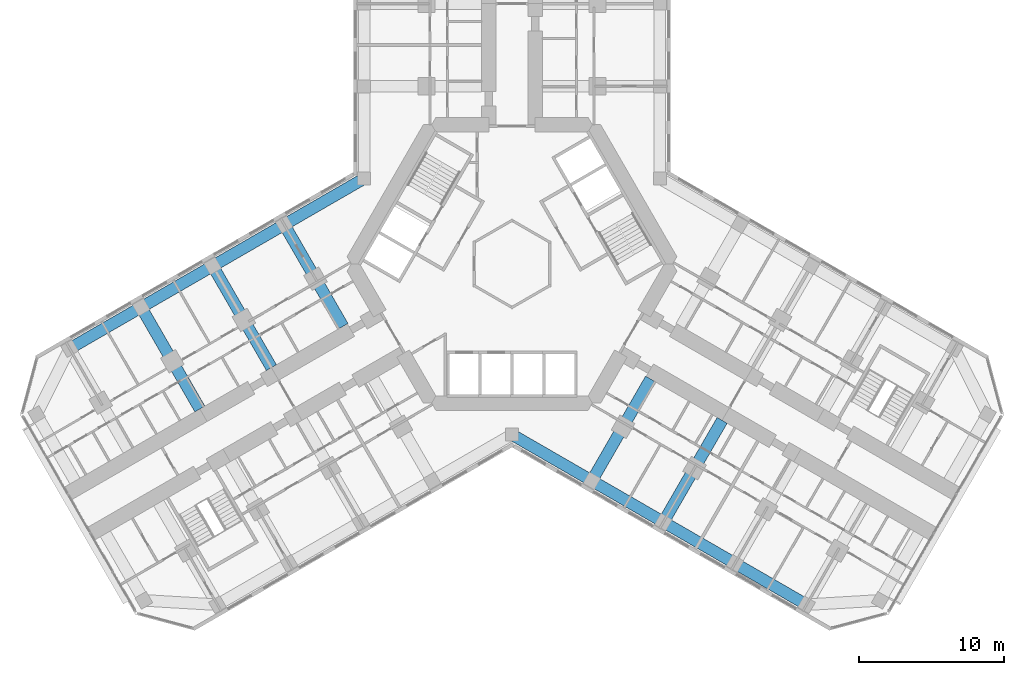
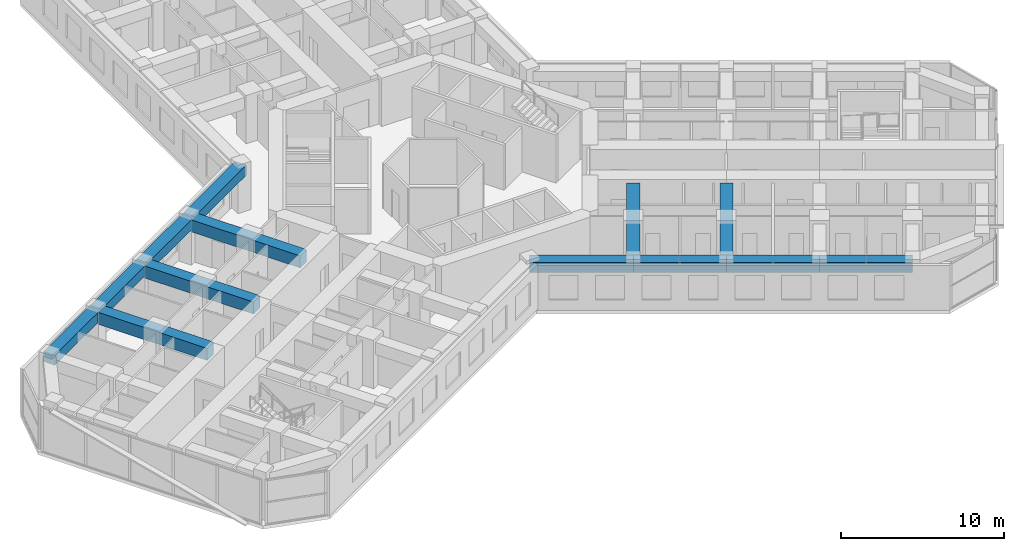
# One storey, part 4 of 21: 13 beams.
"""IFC4 building model written with IfcOpenShell, lengths in metres."""

import ifcopenshell
import ifcopenshell.guid

model = None  # the IFC model being written
_history = None  # IfcOwnerHistory: only IFC2X3 demands one
_inside = {}  # id of a spatial element -> (the spatial element, [elements in it])
_under = {}  # id of a project, library or spatial element -> (it, [spatial elements below it])
_declared = {}  # id of a project -> (the project, [libraries it declares])
_typed = {}  # id of a type object -> (the type object, [elements of that type])
_made_of = {}  # id of a material, layer set ... -> (it, [elements and type objects made of it])


def new_model(schema):
    """Start an empty IFC model of exactly this schema.

    Asked for "IFC4X3", IfcOpenShell would pick the latest addendum, in which some entities
    have other attributes; the version numbers below select the first issue.
    IFC2X3 requires an IfcOwnerHistory on every rooted entity: one is made here for all.
    """
    global model, _history
    if schema == "IFC4X3":
        model = ifcopenshell.file(schema_version=(4, 3, 0, 0))
    else:
        model = ifcopenshell.file(schema=schema)
    _inside.clear()
    _under.clear()
    _declared.clear()
    _typed.clear()
    _made_of.clear()
    _history = None
    if model.schema == "IFC2X3":
        org = make("IfcOrganization", Name="unknown")
        user = make(
            "IfcPersonAndOrganization",
            ThePerson=make("IfcPerson", FamilyName="unknown"),
            TheOrganization=org,
        )
        app = make(
            "IfcApplication",
            ApplicationDeveloper=org,
            Version="unknown",
            ApplicationFullName="unknown",
            ApplicationIdentifier="unknown",
        )
        _history = make(
            "IfcOwnerHistory",
            OwningUser=user,
            OwningApplication=app,
            ChangeAction="ADDED",
            CreationDate=0,
        )
    return model


def make(cls, **values):
    """One entity of the class cls with the attributes given. An attribute that is None is left unset."""
    return model.create_entity(
        cls, **{name: value for name, value in values.items() if value is not None}
    )


def rooted(cls, **values):
    """An entity with a GlobalId (a new one), such as an element, a storey or a relation."""
    return make(cls, GlobalId=ifcopenshell.guid.new(), OwnerHistory=_history, **values)


def si_unit(unit_type, name, prefix=None):
    """IfcSIUnit, for example si_unit("LENGTHUNIT", "METRE", prefix="MILLI")."""
    return make("IfcSIUnit", UnitType=unit_type, Prefix=prefix, Name=name)


def assignment(units):
    """IfcUnitAssignment: the units of a project."""
    return None if units is None else make("IfcUnitAssignment", Units=units)


def point(xyz):
    """IfcCartesianPoint."""
    return None if xyz is None else make("IfcCartesianPoint", Coordinates=xyz)


def direction(xyz):
    """IfcDirection."""
    return None if xyz is None else make("IfcDirection", DirectionRatios=xyz)


def frame(location, z_axis=None, x_axis=None):
    """IfcAxis2Placement3D, a coordinate frame: its origin and axes. An axis left out is left unset."""
    return make(
        "IfcAxis2Placement3D",
        Location=point(location),
        Axis=direction(z_axis),
        RefDirection=direction(x_axis),
    )


def frame_2d(location, x_axis=None):
    """IfcAxis2Placement2D, a coordinate frame in the plane: its origin and x axis."""
    return make(
        "IfcAxis2Placement2D", Location=point(location), RefDirection=direction(x_axis)
    )


def origin():
    """The frame at (0, 0, 0) with its axes left unset."""
    return frame((0.0, 0.0, 0.0))


def origin_2d():
    """The frame at (0, 0) in the plane with its x axis left unset."""
    return frame_2d((0.0, 0.0))


def place(relative_to, where):
    """IfcLocalPlacement: puts the frame where relative to a parent placement (None: the world)."""
    return make(
        "IfcLocalPlacement", PlacementRelTo=relative_to, RelativePlacement=where
    )


def context(
    kind, dimensions, precision=None, world=None, true_north=None, identifier=None
):
    """IfcGeometricRepresentationContext, for example the 3D "Model" context."""
    return make(
        "IfcGeometricRepresentationContext",
        ContextIdentifier=identifier,
        ContextType=kind,
        CoordinateSpaceDimension=dimensions,
        Precision=precision,
        WorldCoordinateSystem=world,
        TrueNorth=true_north,
    )


def subcontext(parent, identifier, kind, view, scale=None):
    """IfcGeometricRepresentationSubContext, for example "Body" below "Model"."""
    return make(
        "IfcGeometricRepresentationSubContext",
        ContextIdentifier=identifier,
        ContextType=kind,
        ParentContext=parent,
        TargetScale=scale,
        TargetView=view,
    )


def project(units=None, contexts=None):
    """IfcProject with its units and contexts."""
    return rooted(
        "IfcProject",
        Name="project",
        RepresentationContexts=contexts,
        UnitsInContext=assignment(units),
    )


def spatial(cls, under=None, at=None, **own):
    """A site, building, storey or space (cls), placed at a placement, below another one or the project."""
    s = rooted(cls, ObjectPlacement=at, **own)
    if under is not None:
        _under.setdefault(under.id(), (under, []))[1].append(s)
    return s


def profile(cls, at=None, kind="AREA", **sizes):
    """A parametric profile (cls). Its sizes go by their IFC names, for example OverallWidth=200.0."""
    return make(cls, ProfileType=kind, Position=at, **sizes)


def rectangle(**sizes):
    """IfcRectangleProfileDef."""
    return profile("IfcRectangleProfileDef", **sizes)


def extrude(swept, where, along, depth):
    """IfcExtrudedAreaSolid: the profile swept, set in the frame where, extruded along a direction by depth."""
    return make(
        "IfcExtrudedAreaSolid",
        SweptArea=swept,
        Position=where,
        ExtrudedDirection=direction(along),
        Depth=depth,
    )


def shape(context_of_items, identifier, shape_type, items):
    """IfcShapeRepresentation: the items that make up one representation, for example the "Body"."""
    return make(
        "IfcShapeRepresentation",
        ContextOfItems=context_of_items,
        RepresentationIdentifier=identifier,
        RepresentationType=shape_type,
        Items=items,
    )


def material(Name=None, Category=None):
    """IfcMaterial."""
    return make("IfcMaterial", Name=Name, Category=Category)


def material_profile(
    of_material, cross_section, Name=None, Category=None, Priority=None
):
    """IfcMaterialProfile: a cross section and its material."""
    return make(
        "IfcMaterialProfile",
        Name=Name,
        Material=of_material,
        Profile=cross_section,
        Priority=Priority,
        Category=Category,
    )


def profile_set(profiles, Name=None, composite=None):
    """IfcMaterialProfileSet."""
    return make(
        "IfcMaterialProfileSet",
        Name=Name,
        MaterialProfiles=profiles,
        CompositeProfile=composite,
    )


def made_of(thing, what):
    """Note that an element or type object is made of a material, layer set ...; save() writes the relation."""
    if what is not None:
        _made_of.setdefault(what.id(), (what, []))[1].append(thing)
    return thing


def type_object(cls, material=None, **own):
    """A type object (cls), such as IfcWallType, which elements share."""
    return made_of(rooted(cls, **own), material)


def element(
    cls,
    number,
    at=None,
    inside=None,
    cuts=None,
    type_object=None,
    material=None,
    context=None,
    identifier="Body",
    shape_type=None,
    held_by="IfcProductDefinitionShape",
    body=None,
    shapes=None,
    **own,
):
    """One element of the class cls, such as IfcWall. Its Tag is "e" and its number.

    at: its placement. inside: the storey or other place that contains it. cuts: it is an
    opening in that element (IfcRelVoidsElement). A single representation is given by context,
    identifier, shape_type and body (its items); several are given by shapes. held_by: the class
    of the entity that holds the representations. save() writes the other relations.
    """
    e = rooted(cls, Tag="e%d" % number, ObjectPlacement=at, **own)
    if body is not None:
        shapes = [shape(context, identifier, shape_type, body)]
    if shapes is not None:
        e.Representation = make(held_by, Representations=shapes)
    if inside is not None:
        _inside.setdefault(inside.id(), (inside, []))[1].append(e)
    if cuts is not None:
        rooted(
            "IfcRelVoidsElement", RelatingBuildingElement=cuts, RelatedOpeningElement=e
        )
    if type_object is not None:
        _typed.setdefault(type_object.id(), (type_object, []))[1].append(e)
    return made_of(e, material)


def aggregate(whole, parts):
    """IfcRelAggregates: a whole, such as a stair, and the parts it consists of."""
    return rooted("IfcRelAggregates", RelatingObject=whole, RelatedObjects=parts)


def save(model, path):
    """Write the relations noted so far, then the file.

    IfcRelAggregates (storeys below a building ...), IfcRelContainedInSpatialStructure (elements
    in a storey), IfcRelDefinesByType, IfcRelAssociatesMaterial and IfcRelDeclares: one each for
    every whole, place, type object, material and project.
    """
    for whole, parts in _under.values():
        aggregate(whole, parts)
    for where, things in _inside.values():
        rooted(
            "IfcRelContainedInSpatialStructure",
            RelatedElements=things,
            RelatingStructure=where,
        )
    for kind, things in _typed.values():
        rooted("IfcRelDefinesByType", RelatedObjects=things, RelatingType=kind)
    for what, things in _made_of.values():
        rooted("IfcRelAssociatesMaterial", RelatedObjects=things, RelatingMaterial=what)
    for by, libraries in _declared.values():
        rooted("IfcRelDeclares", RelatingContext=by, RelatedDefinitions=libraries)
    model.write(path)


model = new_model("IFC4")

# Units and contexts
model_context = context("Model", 3, precision=1e-05, world=origin(), true_north=direction((0.0, 1.0)))
body_context = subcontext(model_context, "Body", "Model", "MODEL_VIEW")
ifc_project = project(units=[si_unit("LENGTHUNIT", "METRE"), si_unit("AREAUNIT", "SQUARE_METRE"), si_unit("VOLUMEUNIT", "CUBIC_METRE"), si_unit("PLANEANGLEUNIT", "RADIAN"), si_unit("MASSUNIT", "GRAM", prefix="KILO")], contexts=[model_context])

# Site, building, storey
site_placement = place(None, origin())
site = spatial("IfcSite", under=ifc_project, at=site_placement, CompositionType="ELEMENT")
building_placement = place(site_placement, origin())
building = spatial("IfcBuilding", under=site, at=building_placement, Name="Kosmar Iwan School Tower", CompositionType="ELEMENT")
storey_placement = place(building_placement, frame((0.0, 0.0, 102.39990234375)))
storey = spatial("IfcBuildingStorey", under=building, at=storey_placement, Name="L25", CompositionType="ELEMENT", Elevation=102.39990234375)

# Beams
ifc_material_1 = material(Name="Concrete C50/60", Category="concrete")
ifc_material_profile_1 = material_profile(ifc_material_1, rectangle(XDim=0.800048828125, YDim=0.75, at=origin_2d()), Name="RC 800x750")
ifc_profile_set_1 = profile_set([ifc_material_profile_1], Name="Concrete C50/60")
beam_type_1 = type_object("IfcBeamType", Name="RC edge beam 800x750", PredefinedType="BEAM", material=ifc_profile_set_1)
beam_1_placement = place(storey_placement, frame((-10.199951171875, 5.888916015625, 2.97509765625), z_axis=(-0.866030912664, -0.49999045822, 0.0), x_axis=(0.49999045822, -0.866030912664, 0.0)))
element("IfcBeam", 1, at=beam_1_placement, inside=storey, type_object=beam_type_1, Name="Edge beam BR1", PredefinedType="BEAM", context=body_context, shape_type="SweptSolid", body=[
    extrude(rectangle(XDim=0.800048828125, YDim=0.75, at=origin_2d()), origin(), (0.0, 0.0, 1.0), 6.36083984375),
])
beam_2_placement = place(storey_placement, frame((-15.708740234375, 2.70849609375, 2.97509765625), z_axis=(-0.866025820012, -0.499999279071, 0.0), x_axis=(0.499999279071, -0.866025820012, 0.0)))
element("IfcBeam", 2, at=beam_2_placement, inside=storey, type_object=beam_type_1, Name="Edge beam BR2", PredefinedType="BEAM", context=body_context, shape_type="SweptSolid", body=[
    extrude(rectangle(XDim=0.800048828125, YDim=0.75, at=origin_2d()), origin(), (0.0, 0.0, 1.0), 5.7001953125),
])
for number, where, z_axis, x_axis, name in (
    (3, (-20.645263671875, -0.1416015625, 2.97509765625), (-0.866033658841, -0.49998570155, 0.0), (0.49998570155, -0.866033658841, 0.0), "Edge beam BR3"),
    (4, (-25.58154296875, -2.991455078125, 2.97509765625), (-0.866015111908, -0.50001782563, 0.0), (0.50001782563, -0.866015111908, 0.0), "Edge beam BR4"),
):
    element("IfcBeam", number, at=place(storey_placement, frame(where, z_axis=z_axis, x_axis=x_axis)), inside=storey, type_object=beam_type_1, Name=name, PredefinedType="BEAM", context=body_context, shape_type="SweptSolid", body=[
        extrude(rectangle(XDim=0.800048828125, YDim=0.75, at=origin_2d()), origin(), (0.0, 0.0, 1.0), 5.699951171875),
    ])
beam_3_placement = place(storey_placement, frame((0.0, -11.77783203125, 2.97509765625), z_axis=(0.866014293216, -0.500019243575, 0.0), x_axis=(0.500019243575, 0.866014293216, 0.0)))
element("IfcBeam", 5, at=beam_3_placement, inside=storey, type_object=beam_type_1, Name="Edge beam CR1", PredefinedType="BEAM", context=body_context, shape_type="SweptSolid", body=[
    extrude(rectangle(XDim=0.800048828125, YDim=0.75, at=origin_2d()), origin(), (0.0, 0.0, 1.0), 6.361083984375),
])
beam_4_placement = place(storey_placement, frame((5.5087890625, -14.95849609375, 2.97509765625), z_axis=(0.866033658841, -0.49998570155, 0.0), x_axis=(0.49998570155, 0.866033658841, 0.0)))
element("IfcBeam", 6, at=beam_4_placement, inside=storey, type_object=beam_type_1, Name="Edge beam CR2", PredefinedType="BEAM", context=body_context, shape_type="SweptSolid", body=[
    extrude(rectangle(XDim=0.800048828125, YDim=0.75, at=origin_2d()), origin(), (0.0, 0.0, 1.0), 5.699951171875),
])
beam_5_placement = place(storey_placement, frame((10.445068359375, -17.808349609375, 2.97509765625), z_axis=(0.866025820012, -0.499999279071, 0.0), x_axis=(0.499999279071, 0.866025820012, 0.0)))
element("IfcBeam", 7, at=beam_5_placement, inside=storey, type_object=beam_type_1, Name="Edge beam CR3", PredefinedType="BEAM", context=body_context, shape_type="SweptSolid", body=[
    extrude(rectangle(XDim=0.800048828125, YDim=0.75, at=origin_2d()), origin(), (0.0, 0.0, 1.0), 5.7001953125),
])
beam_6_placement = place(storey_placement, frame((15.381591796875, -20.658447265625, 2.97509765625), z_axis=(0.866015111908, -0.50001782563, 0.0), x_axis=(0.50001782563, 0.866015111908, 0.0)))
element("IfcBeam", 8, at=beam_6_placement, inside=storey, type_object=beam_type_1, Name="Edge beam CR4", PredefinedType="BEAM", context=body_context, shape_type="SweptSolid", body=[
    extrude(rectangle(XDim=0.800048828125, YDim=0.75, at=origin_2d()), origin(), (0.0, 0.0, 1.0), 5.699951171875),
])
ifc_material_2 = material(Name="Concrete C50/60", Category="concrete")
ifc_material_profile_2 = material_profile(ifc_material_2, rectangle(XDim=0.800048828125, YDim=0.89990234375, at=origin_2d()), Name="RC 800x900")
ifc_profile_set_2 = profile_set([ifc_material_profile_2], Name="Concrete C50/60")
beam_type_2 = type_object("IfcBeamType", Name="RC transverse beam 800x900", PredefinedType="BEAM", material=ifc_profile_set_2)
beam_7_placement = place(storey_placement, frame((-15.708740234375, 2.70849609375, 2.900146484375), z_axis=(0.499999880539, -0.866025472755, 0.0), x_axis=(0.866025472755, 0.499999880539, 0.0)))
element("IfcBeam", 9, at=beam_7_placement, inside=storey, type_object=beam_type_2, Name="Transverse beam BR1", PredefinedType="BEAM", context=body_context, shape_type="SweptSolid", body=[
    extrude(rectangle(XDim=0.800048828125, YDim=0.89990234375, at=origin_2d()), origin(), (0.0, 0.0, 1.0), 8.10009765625),
])
beam_8_placement = place(storey_placement, frame((-20.645263671875, -0.1416015625, 2.900146484375), z_axis=(0.500012932018, -0.866017937352, 0.0), x_axis=(0.866017937352, 0.500012932018, 0.0)))
element("IfcBeam", 10, at=beam_8_placement, inside=storey, type_object=beam_type_2, Name="Transverse beam BR2", PredefinedType="BEAM", context=body_context, shape_type="SweptSolid", body=[
    extrude(rectangle(XDim=0.800048828125, YDim=0.89990234375, at=origin_2d()), origin(), (0.0, 0.0, 1.0), 8.099853515625),
])
for number, where, z_axis, x_axis, name in (
    (11, (-25.58154296875, -2.991455078125, 2.900146484375), (0.499999880539, -0.866025472755, 0.0), (0.866025472755, 0.499999880539, 0.0), "Transverse beam BR3"),
    (12, (5.5087890625, -14.95849609375, 2.900146484375), (0.499999880539, 0.866025472755, 0.0), (-0.866025472755, 0.499999880539, 0.0), "Transverse beam CR1"),
):
    element("IfcBeam", number, at=place(storey_placement, frame(where, z_axis=z_axis, x_axis=x_axis)), inside=storey, type_object=beam_type_2, Name=name, PredefinedType="BEAM", context=body_context, shape_type="SweptSolid", body=[
        extrude(rectangle(XDim=0.800048828125, YDim=0.89990234375, at=origin_2d()), origin(), (0.0, 0.0, 1.0), 8.10009765625),
    ])
beam_9_placement = place(storey_placement, frame((10.445068359375, -17.808349609375, 2.900146484375), z_axis=(0.500012932018, 0.866017937352, 0.0), x_axis=(-0.866017937352, 0.500012932018, 0.0)))
element("IfcBeam", 13, at=beam_9_placement, inside=storey, type_object=beam_type_2, Name="Transverse beam CR2", PredefinedType="BEAM", context=body_context, shape_type="SweptSolid", body=[
    extrude(rectangle(XDim=0.800048828125, YDim=0.89990234375, at=origin_2d()), origin(), (0.0, 0.0, 1.0), 8.099853515625),
])

save(model, "model.ifc")
